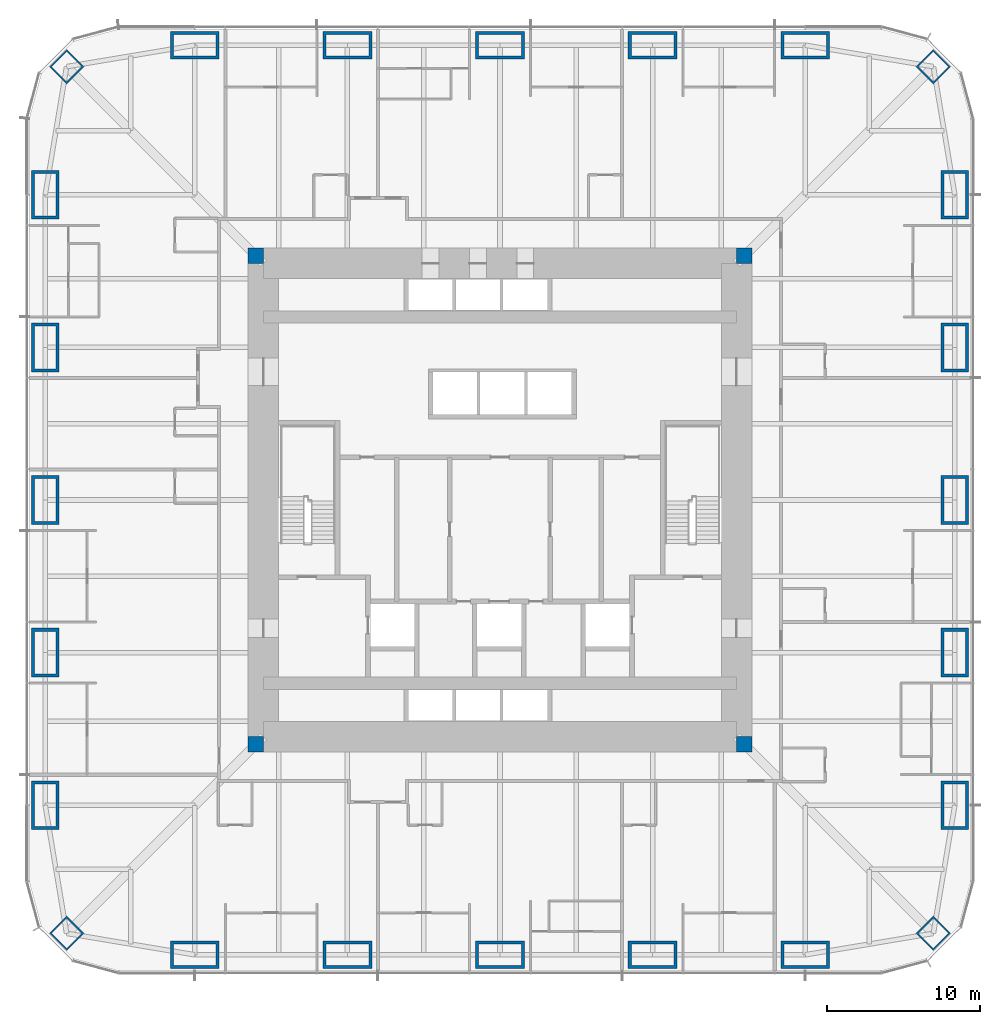
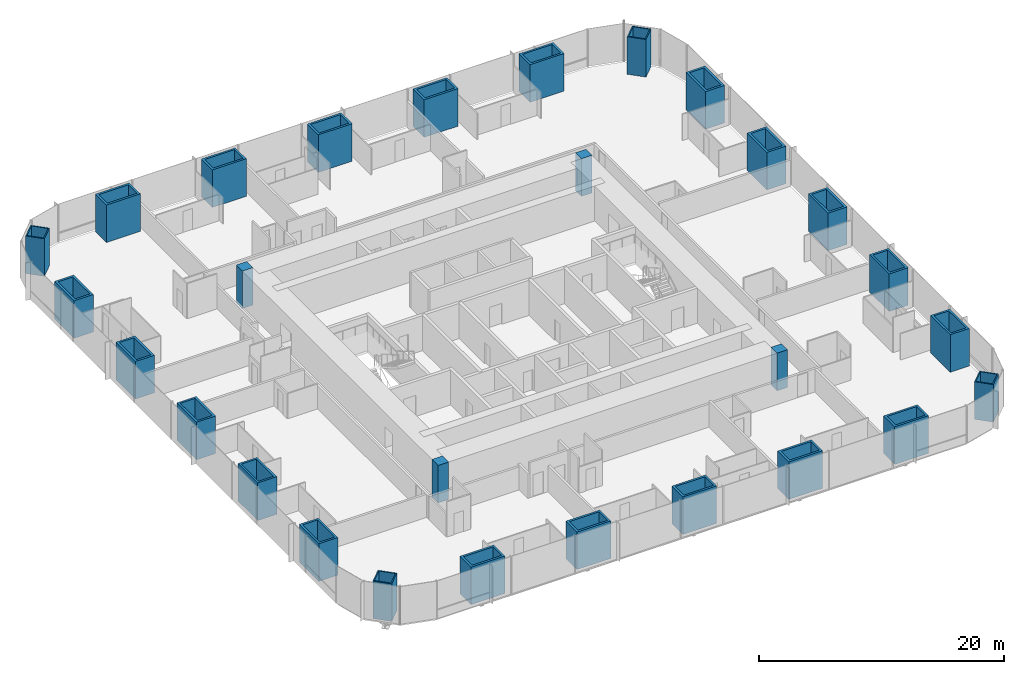
# One storey, part 1 of 17: 28 columns.
"""IFC4 building model written with IfcOpenShell, lengths in metres."""

import ifcopenshell
import ifcopenshell.guid

model = None  # the IFC model being written
_history = None  # IfcOwnerHistory: only IFC2X3 demands one
_inside = {}  # id of a spatial element -> (the spatial element, [elements in it])
_under = {}  # id of a project, library or spatial element -> (it, [spatial elements below it])
_declared = {}  # id of a project -> (the project, [libraries it declares])
_typed = {}  # id of a type object -> (the type object, [elements of that type])
_made_of = {}  # id of a material, layer set ... -> (it, [elements and type objects made of it])


def new_model(schema):
    """Start an empty IFC model of exactly this schema.

    Asked for "IFC4X3", IfcOpenShell would pick the latest addendum, in which some entities
    have other attributes; the version numbers below select the first issue.
    IFC2X3 requires an IfcOwnerHistory on every rooted entity: one is made here for all.
    """
    global model, _history
    if schema == "IFC4X3":
        model = ifcopenshell.file(schema_version=(4, 3, 0, 0))
    else:
        model = ifcopenshell.file(schema=schema)
    _inside.clear()
    _under.clear()
    _declared.clear()
    _typed.clear()
    _made_of.clear()
    _history = None
    if model.schema == "IFC2X3":
        org = make("IfcOrganization", Name="unknown")
        user = make(
            "IfcPersonAndOrganization",
            ThePerson=make("IfcPerson", FamilyName="unknown"),
            TheOrganization=org,
        )
        app = make(
            "IfcApplication",
            ApplicationDeveloper=org,
            Version="unknown",
            ApplicationFullName="unknown",
            ApplicationIdentifier="unknown",
        )
        _history = make(
            "IfcOwnerHistory",
            OwningUser=user,
            OwningApplication=app,
            ChangeAction="ADDED",
            CreationDate=0,
        )
    return model


def make(cls, **values):
    """One entity of the class cls with the attributes given. An attribute that is None is left unset."""
    return model.create_entity(
        cls, **{name: value for name, value in values.items() if value is not None}
    )


def rooted(cls, **values):
    """An entity with a GlobalId (a new one), such as an element, a storey or a relation."""
    return make(cls, GlobalId=ifcopenshell.guid.new(), OwnerHistory=_history, **values)


def si_unit(unit_type, name, prefix=None):
    """IfcSIUnit, for example si_unit("LENGTHUNIT", "METRE", prefix="MILLI")."""
    return make("IfcSIUnit", UnitType=unit_type, Prefix=prefix, Name=name)


def assignment(units):
    """IfcUnitAssignment: the units of a project."""
    return None if units is None else make("IfcUnitAssignment", Units=units)


def point(xyz):
    """IfcCartesianPoint."""
    return None if xyz is None else make("IfcCartesianPoint", Coordinates=xyz)


def direction(xyz):
    """IfcDirection."""
    return None if xyz is None else make("IfcDirection", DirectionRatios=xyz)


def frame(location, z_axis=None, x_axis=None):
    """IfcAxis2Placement3D, a coordinate frame: its origin and axes. An axis left out is left unset."""
    return make(
        "IfcAxis2Placement3D",
        Location=point(location),
        Axis=direction(z_axis),
        RefDirection=direction(x_axis),
    )


def frame_2d(location, x_axis=None):
    """IfcAxis2Placement2D, a coordinate frame in the plane: its origin and x axis."""
    return make(
        "IfcAxis2Placement2D", Location=point(location), RefDirection=direction(x_axis)
    )


def origin():
    """The frame at (0, 0, 0) with its axes left unset."""
    return frame((0.0, 0.0, 0.0))


def origin_2d():
    """The frame at (0, 0) in the plane with its x axis left unset."""
    return frame_2d((0.0, 0.0))


def place(relative_to, where):
    """IfcLocalPlacement: puts the frame where relative to a parent placement (None: the world)."""
    return make(
        "IfcLocalPlacement", PlacementRelTo=relative_to, RelativePlacement=where
    )


def context(
    kind, dimensions, precision=None, world=None, true_north=None, identifier=None
):
    """IfcGeometricRepresentationContext, for example the 3D "Model" context."""
    return make(
        "IfcGeometricRepresentationContext",
        ContextIdentifier=identifier,
        ContextType=kind,
        CoordinateSpaceDimension=dimensions,
        Precision=precision,
        WorldCoordinateSystem=world,
        TrueNorth=true_north,
    )


def subcontext(parent, identifier, kind, view, scale=None):
    """IfcGeometricRepresentationSubContext, for example "Body" below "Model"."""
    return make(
        "IfcGeometricRepresentationSubContext",
        ContextIdentifier=identifier,
        ContextType=kind,
        ParentContext=parent,
        TargetScale=scale,
        TargetView=view,
    )


def project(units=None, contexts=None):
    """IfcProject with its units and contexts."""
    return rooted(
        "IfcProject",
        Name="project",
        RepresentationContexts=contexts,
        UnitsInContext=assignment(units),
    )


def spatial(cls, under=None, at=None, **own):
    """A site, building, storey or space (cls), placed at a placement, below another one or the project."""
    s = rooted(cls, ObjectPlacement=at, **own)
    if under is not None:
        _under.setdefault(under.id(), (under, []))[1].append(s)
    return s


def profile(cls, at=None, kind="AREA", **sizes):
    """A parametric profile (cls). Its sizes go by their IFC names, for example OverallWidth=200.0."""
    return make(cls, ProfileType=kind, Position=at, **sizes)


def rectangle(**sizes):
    """IfcRectangleProfileDef."""
    return profile("IfcRectangleProfileDef", **sizes)


def hollow_rectangle(**sizes):
    """IfcRectangleHollowProfileDef."""
    return profile("IfcRectangleHollowProfileDef", **sizes)


def extrude(swept, where, along, depth):
    """IfcExtrudedAreaSolid: the profile swept, set in the frame where, extruded along a direction by depth."""
    return make(
        "IfcExtrudedAreaSolid",
        SweptArea=swept,
        Position=where,
        ExtrudedDirection=direction(along),
        Depth=depth,
    )


def shape(context_of_items, identifier, shape_type, items):
    """IfcShapeRepresentation: the items that make up one representation, for example the "Body"."""
    return make(
        "IfcShapeRepresentation",
        ContextOfItems=context_of_items,
        RepresentationIdentifier=identifier,
        RepresentationType=shape_type,
        Items=items,
    )


def material(Name=None, Category=None):
    """IfcMaterial."""
    return make("IfcMaterial", Name=Name, Category=Category)


def material_profile(
    of_material, cross_section, Name=None, Category=None, Priority=None
):
    """IfcMaterialProfile: a cross section and its material."""
    return make(
        "IfcMaterialProfile",
        Name=Name,
        Material=of_material,
        Profile=cross_section,
        Priority=Priority,
        Category=Category,
    )


def profile_set(profiles, Name=None, composite=None):
    """IfcMaterialProfileSet."""
    return make(
        "IfcMaterialProfileSet",
        Name=Name,
        MaterialProfiles=profiles,
        CompositeProfile=composite,
    )


def made_of(thing, what):
    """Note that an element or type object is made of a material, layer set ...; save() writes the relation."""
    if what is not None:
        _made_of.setdefault(what.id(), (what, []))[1].append(thing)
    return thing


def type_object(cls, material=None, **own):
    """A type object (cls), such as IfcWallType, which elements share."""
    return made_of(rooted(cls, **own), material)


def element(
    cls,
    number,
    at=None,
    inside=None,
    cuts=None,
    type_object=None,
    material=None,
    context=None,
    identifier="Body",
    shape_type=None,
    held_by="IfcProductDefinitionShape",
    body=None,
    shapes=None,
    **own,
):
    """One element of the class cls, such as IfcWall. Its Tag is "e" and its number.

    at: its placement. inside: the storey or other place that contains it. cuts: it is an
    opening in that element (IfcRelVoidsElement). A single representation is given by context,
    identifier, shape_type and body (its items); several are given by shapes. held_by: the class
    of the entity that holds the representations. save() writes the other relations.
    """
    e = rooted(cls, Tag="e%d" % number, ObjectPlacement=at, **own)
    if body is not None:
        shapes = [shape(context, identifier, shape_type, body)]
    if shapes is not None:
        e.Representation = make(held_by, Representations=shapes)
    if inside is not None:
        _inside.setdefault(inside.id(), (inside, []))[1].append(e)
    if cuts is not None:
        rooted(
            "IfcRelVoidsElement", RelatingBuildingElement=cuts, RelatedOpeningElement=e
        )
    if type_object is not None:
        _typed.setdefault(type_object.id(), (type_object, []))[1].append(e)
    return made_of(e, material)


def aggregate(whole, parts):
    """IfcRelAggregates: a whole, such as a stair, and the parts it consists of."""
    return rooted("IfcRelAggregates", RelatingObject=whole, RelatedObjects=parts)


def save(model, path):
    """Write the relations noted so far, then the file.

    IfcRelAggregates (storeys below a building ...), IfcRelContainedInSpatialStructure (elements
    in a storey), IfcRelDefinesByType, IfcRelAssociatesMaterial and IfcRelDeclares: one each for
    every whole, place, type object, material and project.
    """
    for whole, parts in _under.values():
        aggregate(whole, parts)
    for where, things in _inside.values():
        rooted(
            "IfcRelContainedInSpatialStructure",
            RelatedElements=things,
            RelatingStructure=where,
        )
    for kind, things in _typed.values():
        rooted("IfcRelDefinesByType", RelatedObjects=things, RelatingType=kind)
    for what, things in _made_of.values():
        rooted("IfcRelAssociatesMaterial", RelatedObjects=things, RelatingMaterial=what)
    for by, libraries in _declared.values():
        rooted("IfcRelDeclares", RelatingContext=by, RelatedDefinitions=libraries)
    model.write(path)


model = new_model("IFC4")

# Units and contexts
model_context = context("Model", 3, precision=1e-05, world=origin(), true_north=direction((0.0, 1.0)))
body_context = subcontext(model_context, "Body", "Model", "MODEL_VIEW")
ifc_project = project(units=[si_unit("LENGTHUNIT", "METRE"), si_unit("AREAUNIT", "SQUARE_METRE"), si_unit("VOLUMEUNIT", "CUBIC_METRE"), si_unit("PLANEANGLEUNIT", "RADIAN"), si_unit("MASSUNIT", "GRAM", prefix="KILO")], contexts=[model_context])

# Site, building, storey
site_placement = place(None, origin())
site = spatial("IfcSite", under=ifc_project, at=site_placement, CompositionType="ELEMENT")
building_placement = place(site_placement, origin())
building = spatial("IfcBuilding", under=site, at=building_placement, Name="Khuree Lantern Residences", CompositionType="ELEMENT")
storey_placement = place(building_placement, frame((0.0, 0.0, 92.25)))
storey = spatial("IfcBuildingStorey", under=building, at=storey_placement, Name="L23", CompositionType="ELEMENT", Elevation=92.25)

# Columns
ifc_material_1 = material(Name="Steel S355 CFT welded box", Category="steel")
ifc_material_profile_1 = material_profile(ifc_material_1, hollow_rectangle(XDim=1.60009765625, YDim=1.60009765625, WallThickness=0.10009765625, at=origin_2d()), Name="WELDED BOX 1600X1600X100")
ifc_profile_set_1 = profile_set([ifc_material_profile_1], Name="Steel S355 CFT welded box")
column_type_1 = type_object("IfcColumnType", Name="CC1600 PERIMETER CORNER MEGA COLUMN WELDED BOX 1600X1600X100", PredefinedType="COLUMN", material=ifc_profile_set_1)
for number, where, z_axis, x_axis, name in (
    (1, (28.39404296875, 28.39404296875, 0.0), (0.0, 0.0, 1.0), (0.707106781187, -0.707106781187, 0.0), "Perimeter column NE"),
    (2, (28.39404296875, -28.39404296875, 0.0), (0.0, 0.0, 1.0), (0.707106781187, 0.707106781187, 0.0), "Perimeter column SE"),
    (3, (-28.39404296875, -28.39404296875, 0.0), (0.0, 0.0, 1.0), (0.707106781187, -0.707106781187, 0.0), "Perimeter column SW"),
    (4, (-28.39404296875, 28.39404296875, 0.0), (0.0, 0.0, 1.0), (0.707106781187, 0.707106781187, 0.0), "Perimeter column NW"),
):
    element("IfcColumn", number, at=place(storey_placement, frame(where, z_axis=z_axis, x_axis=x_axis)), inside=storey, type_object=column_type_1, Name=name, PredefinedType="COLUMN", context=body_context, shape_type="SweptSolid", body=[
        extrude(hollow_rectangle(XDim=1.60009765625, YDim=1.60009765625, WallThickness=0.10009765625, at=origin_2d()), origin(), (0.0, 0.0, 1.0), 3.75),
    ])
ifc_material_2 = material(Name="Concrete C70/85", Category="concrete")
ifc_material_profile_2 = material_profile(ifc_material_2, rectangle(XDim=1.0, YDim=1.0, at=origin_2d()), Name="RC 1000X1000")
ifc_profile_set_2 = profile_set([ifc_material_profile_2], Name="Concrete C70/85")
column_type_2 = type_object("IfcColumnType", Name="CP1000-C70 CORE CORNER PIER C70 RC 1000X1000", PredefinedType="COLUMN", material=ifc_profile_set_2)
for number, where, z_axis, x_axis, name in (
    (5, (16.0, 16.0, -0.25), (0.0, 0.0, 1.0), (1.0, 0.0, 0.0), "Core corner pier NE"),
    (6, (-16.0, 16.0, -0.25), (0.0, 0.0, 1.0), (1.0, 0.0, 0.0), "Core corner pier NW"),
    (7, (-16.0, -16.0, -0.25), (0.0, 0.0, 1.0), (1.0, 0.0, 0.0), "Core corner pier SW"),
    (8, (16.0, -16.0, -0.25), (0.0, 0.0, 1.0), (1.0, 0.0, 0.0), "Core corner pier SE"),
):
    element("IfcColumn", number, at=place(storey_placement, frame(where, z_axis=z_axis, x_axis=x_axis)), inside=storey, type_object=column_type_2, Name=name, PredefinedType="COLUMN", context=body_context, shape_type="SweptSolid", body=[
        extrude(rectangle(XDim=1.0, YDim=1.0, at=origin_2d()), origin(), (0.0, 0.0, 1.0), 3.75),
    ])
ifc_material_profile_3 = material_profile(ifc_material_1, hollow_rectangle(XDim=3.199951171875, YDim=1.800048828125, WallThickness=0.199951171875, at=origin_2d()), Name="WELDED BOX 3200X1800X200")
ifc_profile_set_3 = profile_set([ifc_material_profile_3], Name="Steel S355 CFT welded box")
column_type_3 = type_object("IfcColumnType", Name="SC1 PERIMETER MEGA COLUMN WELDED BOX 3200X1800X200", PredefinedType="COLUMN", material=ifc_profile_set_3)
for number, where, z_axis, x_axis, name in (
    (9, (-20.0, 29.800048828125, 0.0), (0.0, 0.0, 1.0), (1.0, 0.0, 0.0), "Perimeter column N1"),
    (10, (-10.0, 29.800048828125, 0.0), (0.0, 0.0, 1.0), (1.0, 0.0, 0.0), "Perimeter column N2"),
    (11, (0.0, 29.800048828125, 0.0), (0.0, 0.0, 1.0), (1.0, 0.0, 0.0), "Perimeter column N3"),
    (12, (10.0, 29.800048828125, 0.0), (0.0, 0.0, 1.0), (1.0, 0.0, 0.0), "Perimeter column N4"),
    (13, (20.0, 29.800048828125, 0.0), (0.0, 0.0, 1.0), (1.0, 0.0, 0.0), "Perimeter column N5"),
    (14, (29.800048828125, 20.0, 0.0), (0.0, 0.0, 1.0), (0.0, 1.0, 0.0), "Perimeter column E1"),
    (15, (29.800048828125, 10.0, 0.0), (0.0, 0.0, 1.0), (0.0, 1.0, 0.0), "Perimeter column E2"),
    (16, (29.800048828125, 0.0, 0.0), (0.0, 0.0, 1.0), (0.0, 1.0, 0.0), "Perimeter column E3"),
    (17, (29.800048828125, -10.0, 0.0), (0.0, 0.0, 1.0), (0.0, 1.0, 0.0), "Perimeter column E4"),
    (18, (29.800048828125, -20.0, 0.0), (0.0, 0.0, 1.0), (0.0, 1.0, 0.0), "Perimeter column E5"),
    (19, (20.0, -29.800048828125, 0.0), (0.0, 0.0, 1.0), (1.0, 0.0, 0.0), "Perimeter column S1"),
    (20, (10.0, -29.800048828125, 0.0), (0.0, 0.0, 1.0), (1.0, 0.0, 0.0), "Perimeter column S2"),
    (21, (0.0, -29.800048828125, 0.0), (0.0, 0.0, 1.0), (1.0, 0.0, 0.0), "Perimeter column S3"),
    (22, (-10.0, -29.800048828125, 0.0), (0.0, 0.0, 1.0), (1.0, 0.0, 0.0), "Perimeter column S4"),
    (23, (-20.0, -29.800048828125, 0.0), (0.0, 0.0, 1.0), (1.0, 0.0, 0.0), "Perimeter column S5"),
    (24, (-29.800048828125, -20.0, 0.0), (0.0, 0.0, 1.0), (0.0, 1.0, 0.0), "Perimeter column W1"),
    (25, (-29.800048828125, -10.0, 0.0), (0.0, 0.0, 1.0), (0.0, 1.0, 0.0), "Perimeter column W2"),
    (26, (-29.800048828125, 0.0, 0.0), (0.0, 0.0, 1.0), (0.0, 1.0, 0.0), "Perimeter column W3"),
    (27, (-29.800048828125, 10.0, 0.0), (0.0, 0.0, 1.0), (0.0, 1.0, 0.0), "Perimeter column W4"),
    (28, (-29.800048828125, 20.0, 0.0), (0.0, 0.0, 1.0), (0.0, 1.0, 0.0), "Perimeter column W5"),
):
    element("IfcColumn", number, at=place(storey_placement, frame(where, z_axis=z_axis, x_axis=x_axis)), inside=storey, type_object=column_type_3, Name=name, PredefinedType="COLUMN", context=body_context, shape_type="SweptSolid", body=[
        extrude(hollow_rectangle(XDim=3.199951171875, YDim=1.800048828125, WallThickness=0.199951171875, at=origin_2d()), origin(), (0.0, 0.0, 1.0), 3.75),
    ])

save(model, "model.ifc")
